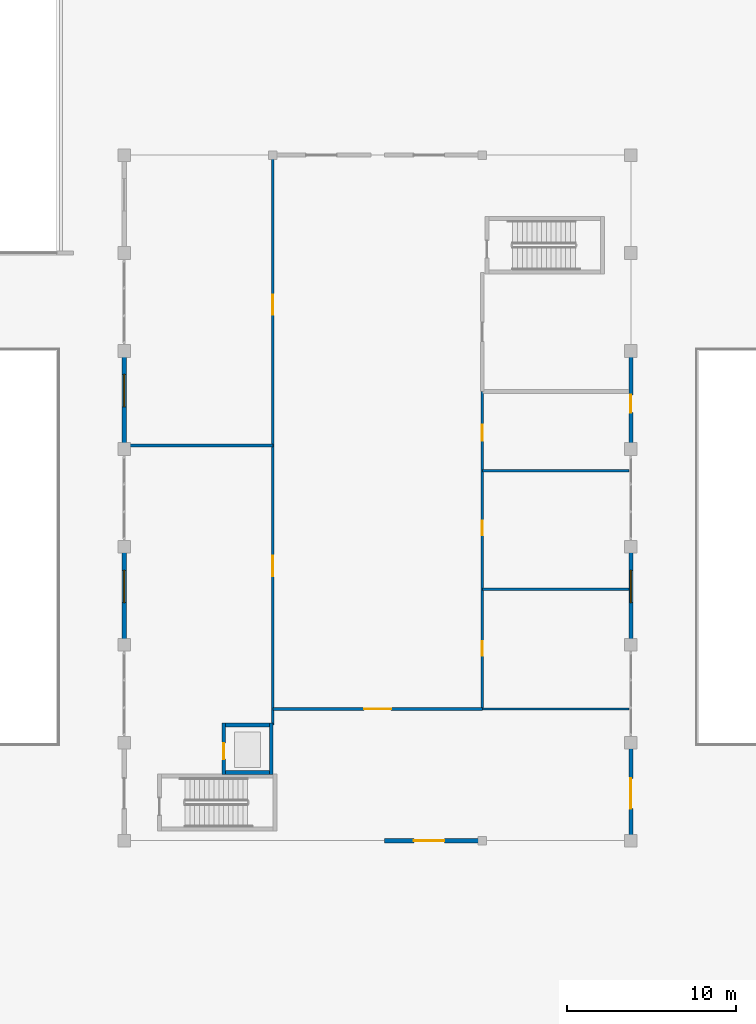
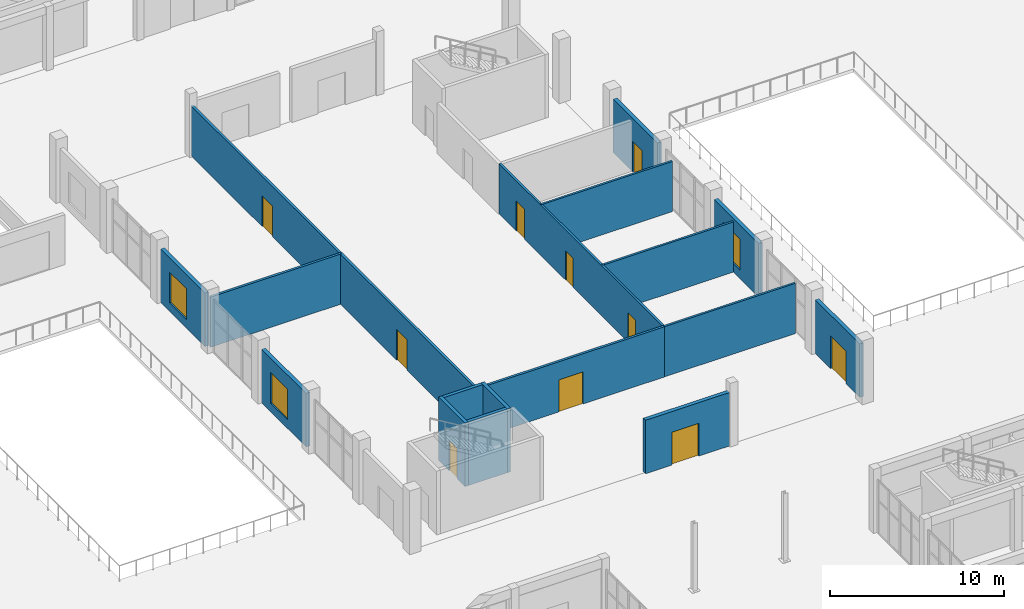
# One storey, part 92 of 132: 17 walls, 10 doors, 3 windows, 13 openings.
"""IFC4 building model written with IfcOpenShell, lengths in metres."""

from ifc_helpers import new_model, si_unit, direction, frame, frame_2d, origin, place, context, subcontext, project, spatial, rectangle, extrude, material, layer, layer_set, type_object, element, fill, save


model = new_model("IFC4")

# Units and contexts
model_context = context("Model", 3, precision=1e-05, world=origin(), true_north=direction((0.0, 1.0)))
body_context = subcontext(model_context, "Body", "Model", "MODEL_VIEW")
ifc_project = project(units=[si_unit("LENGTHUNIT", "METRE"), si_unit("AREAUNIT", "SQUARE_METRE"), si_unit("VOLUMEUNIT", "CUBIC_METRE"), si_unit("PLANEANGLEUNIT", "RADIAN"), si_unit("MASSUNIT", "GRAM", prefix="KILO")], contexts=[model_context])

# Site, building, storey
site_placement = place(None, origin())
site = spatial("IfcSite", under=ifc_project, at=site_placement, CompositionType="ELEMENT")
building_placement = place(site_placement, origin())
building = spatial("IfcBuilding", under=site, at=building_placement, Name="Tanwirah Colonnade Gardens", CompositionType="ELEMENT")
storey_placement = place(building_placement, origin())
storey = spatial("IfcBuildingStorey", under=building, at=storey_placement, Name="L00", CompositionType="ELEMENT", Elevation=0.0)

# Wall, opening, door
ifc_material_1 = material(Name="Limestone architectural precast concrete C40/50", Category="masonry")
ifc_layer_1 = layer(ifc_material_1, 0.25)
ifc_layer_set_1 = layer_set([ifc_layer_1], Name="Limestone architectural precast concrete C40/50")
wall_type_1 = type_object("IfcWallType", Name="EW-PAV250", PredefinedType="SOLIDWALL", material=ifc_layer_set_1)
wall_1_placement = place(storey_placement, frame((108.0, 40.14501953125, 0.0), z_axis=(0.0, 0.0, 1.0), x_axis=(0.0, 1.0, 0.0)))
wall_1 = element("IfcWall", 1, at=wall_1_placement, inside=storey, type_object=wall_type_1, Name="Community Hall L00 E Facade Wall 1", PredefinedType="SOLIDWALL", context=body_context, shape_type="SweptSolid", body=[
    extrude(rectangle(XDim=5.10986328125, YDim=0.25, at=frame_2d((2.554931640625, 0.0))), origin(), (0.0, 0.0, 1.0), 3.75),
])
opening_1_placement = place(wall_1_placement, frame((1.550048828125, 0.0, 0.0)))
opening_1 = element("IfcOpeningElement", 2, at=opening_1_placement, cuts=wall_1, Name="Opening L00-ED216", PredefinedType="OPENING", context=body_context, shape_type="SweptSolid", body=[
    extrude(rectangle(XDim=1.800048828125, YDim=2.300048828125, at=frame_2d((0.89990234375, 1.14990234375))), frame((0.0, 0.135009765625, 0.0), z_axis=(0.0, -1.0, 0.0), x_axis=(1.0, 0.0, 0.0)), (0.0, 0.0, 1.0), 0.27001953125),
])
ifc_material_2 = material(Name="Bronze architectural aluminium and safety glass", Category="aluminium")
door_type_1 = type_object("IfcDoorType", Name="ED-ENT18", OperationType="DOUBLE_DOOR_SINGLE_SWING", PredefinedType="DOOR", material=ifc_material_2)
door_1_placement = place(opening_1_placement, origin())
door_1 = element("IfcDoor", 3, at=door_1_placement, inside=storey, type_object=door_type_1, Name="Community Hall Foyer Courtyard Entrance L00-ED216", OperationType="DOUBLE_DOOR_SINGLE_SWING", OverallHeight=2.300048828125, OverallWidth=1.800048828125, PredefinedType="DOOR", context=body_context, shape_type="SweptSolid", body=[
    extrude(rectangle(XDim=1.800048828125, YDim=2.300048828125, at=frame_2d((0.89990234375, 1.14990234375))), frame((0.0, 0.02490234375, 0.0), z_axis=(0.0, -1.0, 0.0), x_axis=(1.0, 0.0, 0.0)), (0.0, 0.0, 1.0), 0.050048828125),
])
fill(opening_1, door_1)

# Wall, opening, window
wall_2_placement = place(storey_placement, frame((78.0, 51.7451171875, 0.0), z_axis=(0.0, 0.0, 1.0), x_axis=(0.0, 1.0, 0.0)))
wall_2 = element("IfcWall", 4, at=wall_2_placement, inside=storey, type_object=wall_type_1, Name="Community Hall L00 W Facade Wall 3", PredefinedType="SOLIDWALL", context=body_context, shape_type="SweptSolid", body=[
    extrude(rectangle(XDim=5.10986328125, YDim=0.25, at=frame_2d((2.554931640625, 0.0))), origin(), (0.0, 0.0, 1.0), 3.75),
])
opening_2_placement = place(wall_2_placement, frame((2.14990234375, 0.0, 0.60009765625)))
opening_2 = element("IfcOpeningElement", 5, at=opening_2_placement, cuts=wall_2, Name="Opening WIN-PAV2", PredefinedType="OPENING", context=body_context, shape_type="SweptSolid", body=[
    extrude(rectangle(XDim=1.919921875, YDim=2.14990234375, at=frame_2d((0.9599609375, 1.074951171875))), frame((0.0, 0.135009765625, 0.0), z_axis=(0.0, -1.0, 0.0), x_axis=(1.0, 0.0, 0.0)), (0.0, 0.0, 1.0), 0.27001953125),
])
ifc_material_3 = material(Name="Thermally broken bronze aluminium and solar low-E double glazing", Category="aluminium")
window_type = type_object("IfcWindowType", Name="WIN-PAV2", PartitioningType="TRIPLE_PANEL_VERTICAL", PredefinedType="WINDOW", material=ifc_material_3)
window_1_placement = place(opening_2_placement, origin())
window_1 = element("IfcWindow", 6, at=window_1_placement, inside=storey, type_object=window_type, Name="Community Hall Window W-3", OverallHeight=2.14990234375, OverallWidth=1.919921875, PartitioningType="SINGLE_PANEL", PredefinedType="WINDOW", context=body_context, shape_type="SweptSolid", body=[
    extrude(rectangle(XDim=1.919921875, YDim=2.14990234375, at=frame_2d((0.9599609375, 1.074951171875))), frame((0.0, 0.030029296875, 0.0), z_axis=(0.0, -1.0, 0.0), x_axis=(1.0, 0.0, 0.0)), (0.0, 0.0, 1.0), 0.06005859375),
])
fill(opening_2, window_1)

wall_3_placement = place(storey_placement, frame((108.0, 51.7451171875, 0.0), z_axis=(0.0, 0.0, 1.0), x_axis=(0.0, 1.0, 0.0)))
wall_3 = element("IfcWall", 7, at=wall_3_placement, inside=storey, type_object=wall_type_1, Name="Community Hall L00 E Facade Wall 3", PredefinedType="SOLIDWALL", context=body_context, shape_type="SweptSolid", body=[
    extrude(rectangle(XDim=5.10986328125, YDim=0.25, at=frame_2d((2.554931640625, 0.0))), origin(), (0.0, 0.0, 1.0), 3.75),
])
opening_3_placement = place(wall_3_placement, frame((2.14990234375, 0.0, 0.60009765625)))
opening_3 = element("IfcOpeningElement", 8, at=opening_3_placement, cuts=wall_3, Name="Opening WIN-PAV2", PredefinedType="OPENING", context=body_context, shape_type="SweptSolid", body=[
    extrude(rectangle(XDim=1.919921875, YDim=2.14990234375, at=frame_2d((0.9599609375, 1.074951171875))), frame((0.0, 0.135009765625, 0.0), z_axis=(0.0, -1.0, 0.0), x_axis=(1.0, 0.0, 0.0)), (0.0, 0.0, 1.0), 0.27001953125),
])
window_2_placement = place(opening_3_placement, origin())
window_2 = element("IfcWindow", 9, at=window_2_placement, inside=storey, type_object=window_type, Name="Community Hall Window E-3", OverallHeight=2.14990234375, OverallWidth=1.919921875, PartitioningType="SINGLE_PANEL", PredefinedType="WINDOW", context=body_context, shape_type="SweptSolid", body=[
    extrude(rectangle(XDim=1.919921875, YDim=2.14990234375, at=frame_2d((0.9599609375, 1.074951171875))), frame((0.0, 0.030029296875, 0.0), z_axis=(0.0, -1.0, 0.0), x_axis=(1.0, 0.0, 0.0)), (0.0, 0.0, 1.0), 0.06005859375),
])
fill(opening_3, window_2)

wall_4_placement = place(storey_placement, frame((78.0, 63.344970703125, 0.0), z_axis=(0.0, 0.0, 1.0), x_axis=(0.0, 1.0, 0.0)))
wall_4 = element("IfcWall", 10, at=wall_4_placement, inside=storey, type_object=wall_type_1, Name="Community Hall L00 W Facade Wall 5", PredefinedType="SOLIDWALL", context=body_context, shape_type="SweptSolid", body=[
    extrude(rectangle(XDim=5.110107421875, YDim=0.25, at=frame_2d((2.55517578125, 0.0))), origin(), (0.0, 0.0, 1.0), 3.75),
])
opening_4_placement = place(wall_4_placement, frame((2.14990234375, 0.0, 0.60009765625)))
opening_4 = element("IfcOpeningElement", 11, at=opening_4_placement, cuts=wall_4, Name="Opening WIN-PAV2", PredefinedType="OPENING", context=body_context, shape_type="SweptSolid", body=[
    extrude(rectangle(XDim=1.919921875, YDim=2.14990234375, at=frame_2d((0.9599609375, 1.074951171875))), frame((0.0, 0.135009765625, 0.0), z_axis=(0.0, -1.0, 0.0), x_axis=(1.0, 0.0, 0.0)), (0.0, 0.0, 1.0), 0.27001953125),
])
window_3_placement = place(opening_4_placement, origin())
window_3 = element("IfcWindow", 12, at=window_3_placement, inside=storey, type_object=window_type, Name="Community Hall Window W-5", OverallHeight=2.14990234375, OverallWidth=1.919921875, PartitioningType="SINGLE_PANEL", PredefinedType="WINDOW", context=body_context, shape_type="SweptSolid", body=[
    extrude(rectangle(XDim=1.919921875, YDim=2.14990234375, at=frame_2d((0.9599609375, 1.074951171875))), frame((0.0, 0.030029296875, 0.0), z_axis=(0.0, -1.0, 0.0), x_axis=(1.0, 0.0, 0.0)), (0.0, 0.0, 1.0), 0.06005859375),
])
fill(opening_4, window_3)

# Wall, opening, door
wall_5_placement = place(storey_placement, frame((108.0, 63.344970703125, 0.0), z_axis=(0.0, 0.0, 1.0), x_axis=(0.0, 1.0, 0.0)))
wall_5 = element("IfcWall", 13, at=wall_5_placement, inside=storey, type_object=wall_type_1, Name="Community Hall L00 E Facade Wall 5", PredefinedType="SOLIDWALL", context=body_context, shape_type="SweptSolid", body=[
    extrude(rectangle(XDim=5.110107421875, YDim=0.25, at=frame_2d((2.55517578125, 0.0))), origin(), (0.0, 0.0, 1.0), 3.75),
])
opening_5_placement = place(wall_5_placement, frame((1.800048828125, 0.0, 0.0)))
opening_5 = element("IfcOpeningElement", 14, at=opening_5_placement, cuts=wall_5, Name="Opening L00-ED217", PredefinedType="OPENING", context=body_context, shape_type="SweptSolid", body=[
    extrude(rectangle(XDim=1.06005859375, YDim=2.14990234375, at=frame_2d((0.530029296875, 1.074951171875))), frame((0.0, 0.135009765625, 0.0), z_axis=(0.0, -1.0, 0.0), x_axis=(1.0, 0.0, 0.0)), (0.0, 0.0, 1.0), 0.27001953125),
])
ifc_material_4 = material(Name="Fire-rated steel security door", Category="steel")
door_type_2 = type_object("IfcDoorType", Name="ED-FCC10", OperationType="NOTDEFINED", PredefinedType="DOOR", material=ifc_material_4)
door_2_placement = place(opening_5_placement, origin())
door_2 = element("IfcDoor", 15, at=door_2_placement, inside=storey, type_object=door_type_2, Name="Fire Command Centre Exterior Door L00-ED217", OperationType="SINGLE_SWING_RIGHT", OverallHeight=2.14990234375, OverallWidth=1.06005859375, PredefinedType="DOOR", context=body_context, shape_type="SweptSolid", body=[
    extrude(rectangle(XDim=1.06005859375, YDim=2.14990234375, at=frame_2d((0.530029296875, 1.074951171875))), frame((0.0, 0.02490234375, 0.0), z_axis=(0.0, -1.0, 0.0), x_axis=(1.0, 0.0, 0.0)), (0.0, 0.0, 1.0), 0.050048828125),
])
fill(opening_5, door_2)

wall_6_placement = place(storey_placement, frame((93.39990234375, 39.800048828125, 0.0), z_axis=(0.0, 0.0, 1.0), x_axis=(1.0, 0.0, 0.0)))
wall_6 = element("IfcWall", 16, at=wall_6_placement, inside=storey, type_object=wall_type_1, Name="Community Hall S Portico Wall 2", PredefinedType="SOLIDWALL", context=body_context, shape_type="SweptSolid", body=[
    extrude(rectangle(XDim=5.580078125, YDim=0.25, at=frame_2d((2.7900390625, 0.0))), origin(), (0.0, 0.0, 1.0), 3.75),
])
opening_6_placement = place(wall_6_placement, frame((1.75, 0.0, 0.0)))
opening_6 = element("IfcOpeningElement", 17, at=opening_6_placement, cuts=wall_6, Name="Opening L00-ED218", PredefinedType="OPENING", context=body_context, shape_type="SweptSolid", body=[
    extrude(rectangle(XDim=1.800048828125, YDim=2.300048828125, at=frame_2d((0.89990234375, 1.14990234375))), frame((0.0, 0.135009765625, 0.0), z_axis=(0.0, -1.0, 0.0), x_axis=(1.0, 0.0, 0.0)), (0.0, 0.0, 1.0), 0.27001953125),
])
door_3_placement = place(opening_6_placement, origin())
door_3 = element("IfcDoor", 18, at=door_3_placement, inside=storey, type_object=door_type_1, Name="Community Hall Main Entrance L00-ED218", OperationType="DOUBLE_DOOR_SINGLE_SWING", OverallHeight=2.300048828125, OverallWidth=1.800048828125, PredefinedType="DOOR", context=body_context, shape_type="SweptSolid", body=[
    extrude(rectangle(XDim=1.800048828125, YDim=2.300048828125, at=frame_2d((0.89990234375, 1.14990234375))), frame((0.0, 0.02490234375, 0.0), z_axis=(0.0, -1.0, 0.0), x_axis=(1.0, 0.0, 0.0)), (0.0, 0.0, 1.0), 0.050048828125),
])
fill(opening_6, door_3)

# Wall, openings, doors
ifc_material_5 = material(Name="Fire-rated acoustic blockwork partition", Category="masonry")
ifc_layer_2 = layer(ifc_material_5, 0.159912109375)
ifc_layer_set_2 = layer_set([ifc_layer_2], Name="Fire-rated acoustic blockwork partition")
wall_type_2 = type_object("IfcWallType", Name="IW-PAV160", PredefinedType="PARTITIONING", material=ifc_layer_set_2)
wall_7_placement = place(storey_placement, frame((86.800048828125, 46.64990234375, 0.0), z_axis=(0.0, 0.0, 1.0), x_axis=(0.0, 1.0, 0.0)))
wall_7 = element("IfcWall", 19, at=wall_7_placement, inside=storey, type_object=wall_type_2, Name="Interior Partition IW-HALL-SPINE-W0", PredefinedType="PARTITIONING", context=body_context, shape_type="SweptSolid", body=[
    extrude(rectangle(XDim=33.630126953125, YDim=0.159912109375, at=frame_2d((16.81494140625, 0.0))), origin(), (0.0, 0.0, 1.0), 3.52001953125),
])
opening_7_placement = place(wall_7_placement, frame((8.81640625, 0.0, 0.0)))
opening_7 = element("IfcOpeningElement", 20, at=opening_7_placement, cuts=wall_7, Name="Opening L00-VD1950", PredefinedType="OPENING", context=body_context, shape_type="SweptSolid", body=[
    extrude(rectangle(XDim=1.199951171875, YDim=2.14990234375, at=frame_2d((0.60009765625, 1.074951171875))), frame((0.0, 0.08984375, 0.0), z_axis=(0.0, -1.0, 0.0), x_axis=(1.0, 0.0, 0.0)), (0.0, 0.0, 1.0), 0.179931640625),
])
opening_8_placement = place(wall_7_placement, frame((24.2861328125, 0.0, 0.0)))
opening_8 = element("IfcOpeningElement", 21, at=opening_8_placement, cuts=wall_7, Name="Opening L00-VD1951", PredefinedType="OPENING", context=body_context, shape_type="SweptSolid", body=[
    extrude(rectangle(XDim=1.199951171875, YDim=2.14990234375, at=frame_2d((0.60009765625, 1.074951171875))), frame((0.0, 0.08984375, 0.0), z_axis=(0.0, -1.0, 0.0), x_axis=(1.0, 0.0, 0.0)), (0.0, 0.0, 1.0), 0.179931640625),
])
ifc_material_6 = material(Name="Acoustic classroom vision-panel door")
door_type_3 = type_object("IfcDoorType", Name="ID-NUR12", OperationType="NOTDEFINED", PredefinedType="DOOR", material=ifc_material_6)
door_4_placement = place(opening_7_placement, origin())
door_4 = element("IfcDoor", 22, at=door_4_placement, inside=storey, type_object=door_type_3, Name="Civic interior door L00-VD1950", OperationType="SINGLE_SWING_LEFT", OverallHeight=2.14990234375, OverallWidth=1.199951171875, PredefinedType="DOOR", context=body_context, shape_type="SweptSolid", body=[
    extrude(rectangle(XDim=1.199951171875, YDim=2.14990234375, at=frame_2d((0.60009765625, 1.074951171875))), frame((0.0, 0.02490234375, 0.0), z_axis=(0.0, -1.0, 0.0), x_axis=(1.0, 0.0, 0.0)), (0.0, 0.0, 1.0), 0.050048828125),
])
fill(opening_7, door_4)
door_5_placement = place(opening_8_placement, origin())
door_5 = element("IfcDoor", 23, at=door_5_placement, inside=storey, type_object=door_type_3, Name="Civic interior door L00-VD1951", OperationType="SINGLE_SWING_RIGHT", OverallHeight=2.14990234375, OverallWidth=1.199951171875, PredefinedType="DOOR", context=body_context, shape_type="SweptSolid", body=[
    extrude(rectangle(XDim=1.199951171875, YDim=2.14990234375, at=frame_2d((0.60009765625, 1.074951171875))), frame((0.0, 0.02490234375, 0.0), z_axis=(0.0, -1.0, 0.0), x_axis=(1.0, 0.0, 0.0)), (0.0, 0.0, 1.0), 0.050048828125),
])
fill(opening_8, door_5)

# Wall, opening, door
wall_8_placement = place(storey_placement, frame((86.800048828125, 47.60009765625, 0.0), z_axis=(0.0, 0.0, 1.0), x_axis=(1.0, 0.0, 0.0)))
wall_8 = element("IfcWall", 24, at=wall_8_placement, inside=storey, type_object=wall_type_2, Name="Interior Partition IW-HALL-FOYER", PredefinedType="PARTITIONING", context=body_context, shape_type="SweptSolid", body=[
    extrude(rectangle(XDim=12.39990234375, YDim=0.159912109375, at=frame_2d((6.199951171875, 0.0))), origin(), (0.0, 0.0, 1.0), 3.52001953125),
])
opening_9_placement = place(wall_8_placement, frame((5.39990234375, 0.0, 0.0)))
opening_9 = element("IfcOpeningElement", 25, at=opening_9_placement, cuts=wall_8, Name="Opening L00-VD1956", PredefinedType="OPENING", context=body_context, shape_type="SweptSolid", body=[
    extrude(rectangle(XDim=1.60009765625, YDim=2.25, at=frame_2d((0.800048828125, 1.125))), frame((0.0, 0.08984375, 0.0), z_axis=(0.0, -1.0, 0.0), x_axis=(1.0, 0.0, 0.0)), (0.0, 0.0, 1.0), 0.179931640625),
])
ifc_material_7 = material(Name="Glazed oak assembly hall double door")
door_type_4 = type_object("IfcDoorType", Name="ID-HALL16", OperationType="DOUBLE_DOOR_SINGLE_SWING", PredefinedType="DOOR", material=ifc_material_7)
door_6_placement = place(opening_9_placement, origin())
door_6 = element("IfcDoor", 26, at=door_6_placement, inside=storey, type_object=door_type_4, Name="Civic interior door L00-VD1956", OperationType="DOUBLE_DOOR_SINGLE_SWING", OverallHeight=2.25, OverallWidth=1.60009765625, PredefinedType="DOOR", context=body_context, shape_type="SweptSolid", body=[
    extrude(rectangle(XDim=1.60009765625, YDim=2.25, at=frame_2d((0.800048828125, 1.125))), frame((0.0, 0.02490234375, 0.0), z_axis=(0.0, -1.0, 0.0), x_axis=(1.0, 0.0, 0.0)), (0.0, 0.0, 1.0), 0.050048828125),
])
fill(opening_9, door_6)

# Wall
wall_9_placement = place(storey_placement, frame((78.1201171875, 63.199951171875, 0.0), z_axis=(0.0, 0.0, 1.0), x_axis=(1.0, 0.0, 0.0)))
element("IfcWall", 27, at=wall_9_placement, inside=storey, type_object=wall_type_2, Name="Interior Partition IW-HALL-MAJ", PredefinedType="PARTITIONING", context=body_context, shape_type="SweptSolid", body=[
    extrude(rectangle(XDim=8.679931640625, YDim=0.159912109375, at=frame_2d((4.33984375, 0.0))), origin(), (0.0, 0.0, 1.0), 3.52001953125),
])

# Wall, openings, doors
ifc_material_8 = material(Name="Water-resistant acoustic plumbing partition")
ifc_layer_3 = layer(ifc_material_8, 0.139892578125)
ifc_layer_set_3 = layer_set([ifc_layer_3], Name="Water-resistant acoustic plumbing partition")
wall_type_3 = type_object("IfcWallType", Name="IW-WET140", PredefinedType="PLUMBINGWALL", material=ifc_layer_set_3)
wall_10_placement = place(storey_placement, frame((99.199951171875, 47.60009765625, 0.0), z_axis=(0.0, 0.0, 1.0), x_axis=(0.0, 1.0, 0.0)))
wall_10 = element("IfcWall", 28, at=wall_10_placement, inside=storey, type_object=wall_type_3, Name="Interior Partition IW-HALL-SPINE-E0", PredefinedType="PLUMBINGWALL", context=body_context, shape_type="SweptSolid", body=[
    extrude(rectangle(XDim=18.7998046875, YDim=0.139892578125, at=frame_2d((9.39990234375, 0.0))), origin(), (0.0, 0.0, 1.0), 3.52001953125),
])
opening_10_placement = place(wall_10_placement, frame((3.14208984375, 0.0, 0.0)))
opening_10 = element("IfcOpeningElement", 29, at=opening_10_placement, cuts=wall_10, Name="Opening L00-VD1952", PredefinedType="OPENING", context=body_context, shape_type="SweptSolid", body=[
    extrude(rectangle(XDim=0.860107421875, YDim=2.06005859375, at=frame_2d((0.43017578125, 1.030029296875))), frame((0.0, 0.079833984375, 0.0), z_axis=(0.0, -1.0, 0.0), x_axis=(1.0, 0.0, 0.0)), (0.0, 0.0, 1.0), 0.159912109375),
])
opening_11_placement = place(wall_10_placement, frame((10.285888671875, 0.0, 0.0)))
opening_11 = element("IfcOpeningElement", 30, at=opening_11_placement, cuts=wall_10, Name="Opening L00-VD1953", PredefinedType="OPENING", context=body_context, shape_type="SweptSolid", body=[
    extrude(rectangle(XDim=0.860107421875, YDim=2.06005859375, at=frame_2d((0.43017578125, 1.030029296875))), frame((0.0, 0.079833984375, 0.0), z_axis=(0.0, -1.0, 0.0), x_axis=(1.0, 0.0, 0.0)), (0.0, 0.0, 1.0), 0.159912109375),
])
opening_12_placement = place(wall_10_placement, frame((15.8759765625, 0.0, 0.0)))
opening_12 = element("IfcOpeningElement", 31, at=opening_12_placement, cuts=wall_10, Name="Opening L00-VD1954", PredefinedType="OPENING", context=body_context, shape_type="SweptSolid", body=[
    extrude(rectangle(XDim=0.9599609375, YDim=2.10009765625, at=frame_2d((0.47998046875, 1.050048828125))), frame((0.0, 0.079833984375, 0.0), z_axis=(0.0, -1.0, 0.0), x_axis=(1.0, 0.0, 0.0)), (0.0, 0.0, 1.0), 0.159912109375),
])
ifc_material_9 = material(Name="Accessible toilet outward-opening door")
door_type_5 = type_object("IfcDoorType", Name="ID-AWC096", OperationType="NOTDEFINED", PredefinedType="DOOR", material=ifc_material_9)
door_7_placement = place(opening_12_placement, origin())
door_7 = element("IfcDoor", 32, at=door_7_placement, inside=storey, type_object=door_type_5, Name="Civic interior door L00-VD1954", OperationType="SINGLE_SWING_RIGHT", OverallHeight=2.10009765625, OverallWidth=0.9599609375, PredefinedType="DOOR", context=body_context, shape_type="SweptSolid", body=[
    extrude(rectangle(XDim=0.9599609375, YDim=2.10009765625, at=frame_2d((0.47998046875, 1.050048828125))), frame((0.0, 0.02490234375, 0.0), z_axis=(0.0, -1.0, 0.0), x_axis=(1.0, 0.0, 0.0)), (0.0, 0.0, 1.0), 0.050048828125),
])
fill(opening_12, door_7)
ifc_material_10 = material(Name="Moisture-resistant bathroom door")
door_type_6 = type_object("IfcDoorType", Name="ID-WET086", OperationType="NOTDEFINED", PredefinedType="DOOR", material=ifc_material_10)
door_8_placement = place(opening_10_placement, origin())
door_8 = element("IfcDoor", 33, at=door_8_placement, inside=storey, type_object=door_type_6, Name="Civic interior door L00-VD1952", OperationType="SINGLE_SWING_RIGHT", OverallHeight=2.06005859375, OverallWidth=0.860107421875, PredefinedType="DOOR", context=body_context, shape_type="SweptSolid", body=[
    extrude(rectangle(XDim=0.860107421875, YDim=2.06005859375, at=frame_2d((0.43017578125, 1.030029296875))), frame((0.0, 0.02490234375, 0.0), z_axis=(0.0, -1.0, 0.0), x_axis=(1.0, 0.0, 0.0)), (0.0, 0.0, 1.0), 0.050048828125),
])
fill(opening_10, door_8)
door_9_placement = place(opening_11_placement, origin())
door_9 = element("IfcDoor", 34, at=door_9_placement, inside=storey, type_object=door_type_6, Name="Civic interior door L00-VD1953", OperationType="SINGLE_SWING_LEFT", OverallHeight=2.06005859375, OverallWidth=0.860107421875, PredefinedType="DOOR", context=body_context, shape_type="SweptSolid", body=[
    extrude(rectangle(XDim=0.860107421875, YDim=2.06005859375, at=frame_2d((0.43017578125, 1.030029296875))), frame((0.0, 0.02490234375, 0.0), z_axis=(0.0, -1.0, 0.0), x_axis=(1.0, 0.0, 0.0)), (0.0, 0.0, 1.0), 0.050048828125),
])
fill(opening_11, door_9)

# Walls
for number, where, z_axis, x_axis, name in (
    (35, (99.199951171875, 47.60009765625, 0.0), (0.0, 0.0, 1.0), (1.0, 0.0, 0.0), "Interior Partition IW-HALL-WC0-S"),
    (36, (99.199951171875, 54.699951171875, 0.0), (0.0, 0.0, 1.0), (1.0, 0.0, 0.0), "Interior Partition IW-HALL-WC1"),
    (37, (99.199951171875, 61.699951171875, 0.0), (0.0, 0.0, 1.0), (1.0, 0.0, 0.0), "Interior Partition IW-HALL-AWC"),
):
    element("IfcWall", number, at=place(storey_placement, frame(where, z_axis=z_axis, x_axis=x_axis)), inside=storey, type_object=wall_type_3, Name=name, PredefinedType="PLUMBINGWALL", context=body_context, shape_type="SweptSolid", body=[
        extrude(rectangle(XDim=8.679931640625, YDim=0.139892578125, at=frame_2d((4.33984375, 0.0))), origin(), (0.0, 0.0, 1.0), 3.52001953125),
    ])

# Wall, opening, door
ifc_material_11 = material(Name="Concrete C45/55", Category="concrete")
ifc_layer_4 = layer(ifc_material_11, 0.215087890625)
ifc_layer_set_4 = layer_set([ifc_layer_4], Name="Concrete C45/55")
wall_type_4 = type_object("IfcWallType", Name="SW-LIFT215", PredefinedType="SHEAR", material=ifc_layer_set_4)
wall_11_placement = place(storey_placement, frame((83.892578125, 43.735107421875, 0.0), z_axis=(0.0, 0.0, 1.0), x_axis=(0.0, 1.0, 0.0)))
wall_11 = element("IfcWall", 38, at=wall_11_placement, inside=storey, type_object=wall_type_4, Name="CORE-H1 L00 Lift Shaft Wall FRONT", PredefinedType="SHEAR", context=body_context, shape_type="SweptSolid", body=[
    extrude(rectangle(XDim=3.02978515625, YDim=0.215087890625, at=frame_2d((1.514892578125, 0.0))), origin(), (0.0, 0.0, 1.0), 4.465087890625),
])
opening_13_placement = place(wall_11_placement, frame((0.89990234375, 0.0, 0.0)))
opening_13 = element("IfcOpeningElement", 39, at=opening_13_placement, cuts=wall_11, Name="Opening L00-LD-PL-H1", PredefinedType="OPENING", context=body_context, shape_type="SweptSolid", body=[
    extrude(rectangle(XDim=0.949951171875, YDim=2.14990234375, at=frame_2d((0.47509765625, 1.074951171875))), frame((0.0, 0.117431640625, 0.0), z_axis=(0.0, -1.0, 0.0), x_axis=(1.0, 0.0, 0.0)), (0.0, 0.0, 1.0), 0.235107421875),
])
ifc_material_12 = material(Name="Stainless steel sliding pavilion lift landing door", Category="steel")
door_type_7 = type_object("IfcDoorType", Name="LD-PV095", OperationType="DOUBLE_DOOR_SLIDING", PredefinedType="DOOR", material=ifc_material_12)
door_10_placement = place(opening_13_placement, origin())
door_10 = element("IfcDoor", 40, at=door_10_placement, inside=storey, type_object=door_type_7, Name="Lift PL-H1 L00 Sliding Landing Door", OperationType="DOUBLE_DOOR_SLIDING", OverallHeight=2.14990234375, OverallWidth=0.949951171875, PredefinedType="DOOR", context=body_context, shape_type="SweptSolid", body=[
    extrude(rectangle(XDim=0.949951171875, YDim=2.14990234375, at=frame_2d((0.47509765625, 1.074951171875))), frame((0.0, 0.02490234375, 0.0), z_axis=(0.0, -1.0, 0.0), x_axis=(1.0, 0.0, 0.0)), (0.0, 0.0, 1.0), 0.050048828125),
])
fill(opening_13, door_10)

# Walls
wall_12_placement = place(storey_placement, frame((86.70751953125, 43.735107421875, 0.0), z_axis=(0.0, 0.0, 1.0), x_axis=(0.0, 1.0, 0.0)))
element("IfcWall", 41, at=wall_12_placement, inside=storey, type_object=wall_type_4, Name="CORE-H1 L00 Lift Shaft Wall BACK", PredefinedType="SHEAR", context=body_context, shape_type="SweptSolid", body=[
    extrude(rectangle(XDim=3.02978515625, YDim=0.215087890625, at=frame_2d((1.514892578125, 0.0))), origin(), (0.0, 0.0, 1.0), 4.465087890625),
])
for number, where, z_axis, x_axis, name in (
    (42, (84.0, 43.842529296875, 0.0), (0.0, 0.0, 1.0), (1.0, 0.0, 0.0), "CORE-H1 L00 Lift Shaft Wall SIDEA"),
    (43, (84.0, 46.657470703125, 0.0), (0.0, 0.0, 1.0), (1.0, 0.0, 0.0), "CORE-H1 L00 Lift Shaft Wall SIDEB"),
):
    element("IfcWall", number, at=place(storey_placement, frame(where, z_axis=z_axis, x_axis=x_axis)), inside=storey, type_object=wall_type_4, Name=name, PredefinedType="SHEAR", context=body_context, shape_type="SweptSolid", body=[
        extrude(rectangle(XDim=2.60009765625, YDim=0.215087890625, at=frame_2d((1.300048828125, 0.0))), origin(), (0.0, 0.0, 1.0), 4.465087890625),
    ])

save(model, "model.ifc")
